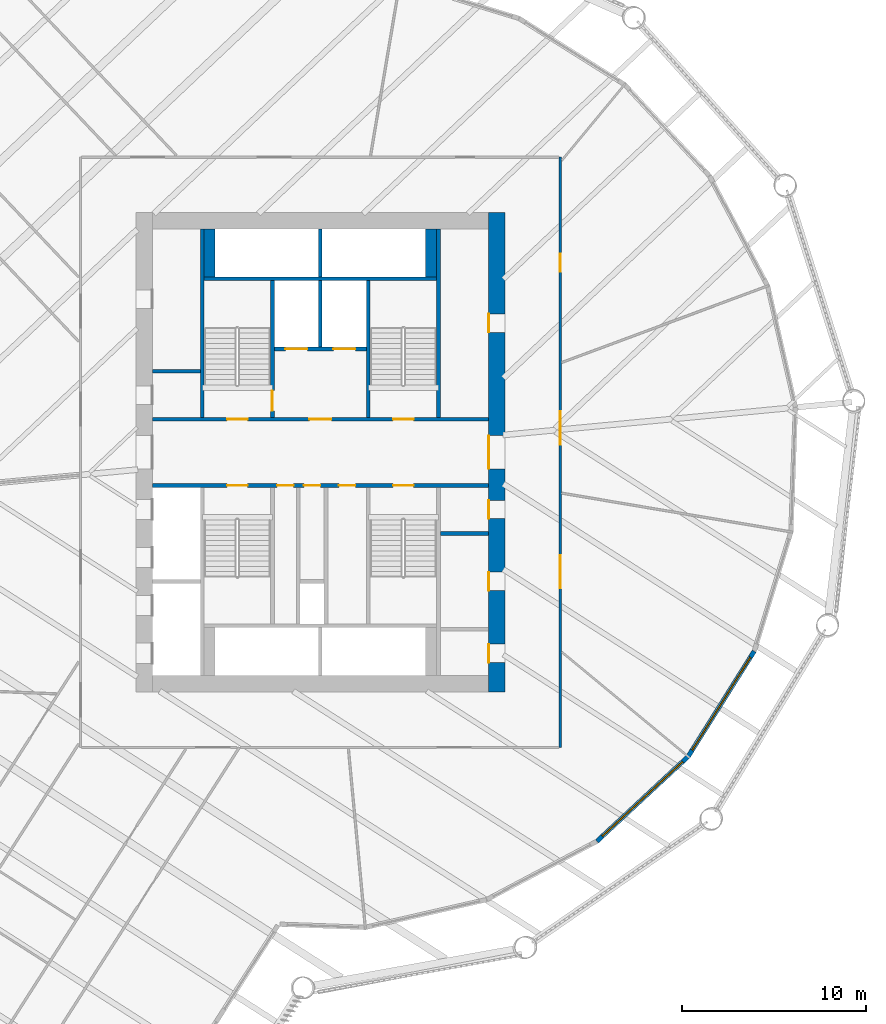
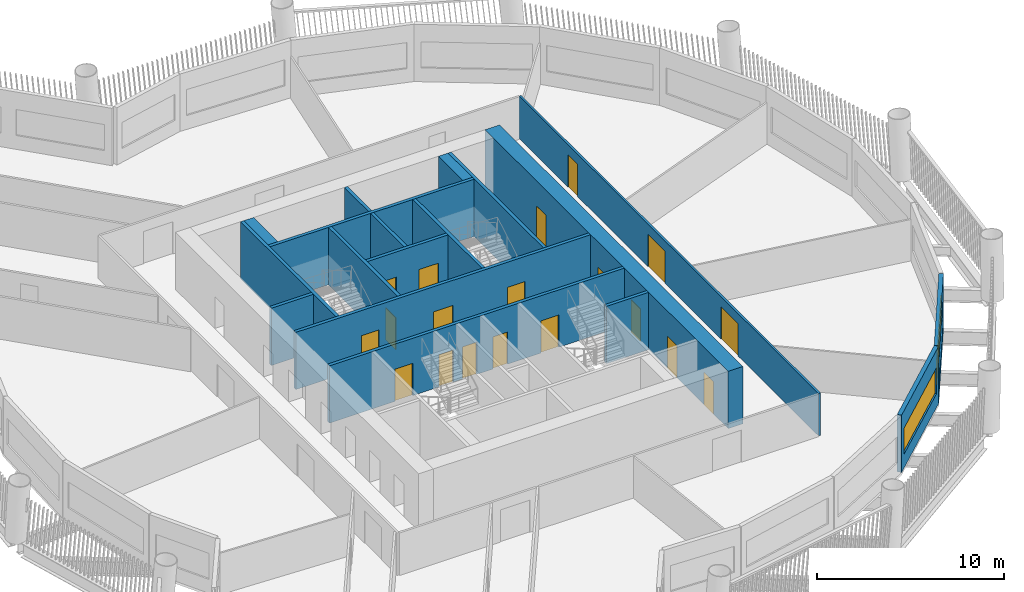
# One storey, part 5 of 15: 19 doors, 18 walls, 2 windows, 21 openings.
"""IFC4 building model written with IfcOpenShell, lengths in metres."""

from ifc_helpers import new_model, si_unit, direction, frame, frame_2d, origin, place, context, subcontext, project, spatial, rectangle, extrude, material, layer, layer_set, type_object, element, fill, save


model = new_model("IFC4")

# Units and contexts
model_context = context("Model", 3, precision=1e-05, world=origin(), true_north=direction((0.0, 1.0)))
body_context = subcontext(model_context, "Body", "Model", "MODEL_VIEW")
ifc_project = project(units=[si_unit("LENGTHUNIT", "METRE"), si_unit("AREAUNIT", "SQUARE_METRE"), si_unit("VOLUMEUNIT", "CUBIC_METRE"), si_unit("PLANEANGLEUNIT", "RADIAN"), si_unit("MASSUNIT", "GRAM", prefix="KILO")], contexts=[model_context])

# Site, building, storey
site_placement = place(None, origin())
site = spatial("IfcSite", under=ifc_project, at=site_placement, CompositionType="ELEMENT")
building_placement = place(site_placement, origin())
building = spatial("IfcBuilding", under=site, at=building_placement, Name="Tarsis Ring Headquarters", CompositionType="ELEMENT")
storey_placement = place(building_placement, frame((0.0, 0.0, 67.300048828125)))
storey = spatial("IfcBuildingStorey", under=building, at=storey_placement, Name="L14", CompositionType="ELEMENT", Elevation=67.300048828125)

# Walls
ifc_material_1 = material(Name="Blockwork", Category="masonry")
ifc_layer_1 = layer(ifc_material_1, 0.199951171875)
ifc_layer_set_1 = layer_set([ifc_layer_1], Name="Core blockwork wall 200")
wall_type_1 = type_object("IfcWallType", Name="Core blockwork wall 200", PredefinedType="PARTITIONING", material=ifc_layer_set_1)
for number, where, z_axis, x_axis, name in (
    (1, (-9.10009765625, 4.39990234375, 0.0), (0.0, 0.0, 1.0), (1.0, 0.0, 0.0), "Core partition WD5"),
    (2, (6.5, -4.39990234375, 0.0), (0.0, 0.0, 1.0), (1.0, 0.0, 0.0), "Core partition ED3"),
):
    element("IfcWall", number, at=place(storey_placement, frame(where, z_axis=z_axis, x_axis=x_axis)), inside=storey, type_object=wall_type_1, Name=name, PredefinedType="PARTITIONING", context=body_context, shape_type="SweptSolid", body=[
        extrude(rectangle(XDim=2.60009765625, YDim=0.199951171875, at=frame_2d((1.300048828125, 0.0))), origin(), (0.0, 0.0, 1.0), 3.739990234375),
    ])

# Wall, openings, doors
ifc_material_2 = material(Name="Concrete C60/75", Category="concrete")
ifc_layer_2 = layer(ifc_material_2, 0.89990234375)
ifc_layer_set_2 = layer_set([ifc_layer_2], Name="Core wall 900 C60/75")
wall_type_2 = type_object("IfcWallType", Name="Core wall 900 C60/75", PredefinedType="SHEAR", material=ifc_layer_set_2)
wall_1_placement = place(storey_placement, frame((9.550048828125, -13.0, 0.0), z_axis=(0.0, 0.0, 1.0), x_axis=(0.0, 1.0, 0.0)))
wall_1 = element("IfcWall", 3, at=wall_1_placement, inside=storey, type_object=wall_type_2, Name="Core wall OE", PredefinedType="SHEAR", context=body_context, shape_type="SweptSolid", body=[
    extrude(rectangle(XDim=26.0, YDim=0.89990234375, at=frame_2d((13.0, 0.0))), origin(), (0.0, 0.0, 1.0), 3.739990234375),
])
opening_1_placement = place(wall_1_placement, frame((1.60009765625, 0.0, 0.0)))
opening_1 = element("IfcOpeningElement", 4, at=opening_1_placement, cuts=wall_1, Name="Opening L14-C08", PredefinedType="OPENING", context=body_context, shape_type="SweptSolid", body=[
    extrude(rectangle(XDim=1.0, YDim=2.10009765625, at=frame_2d((0.5, 1.050048828125))), frame((0.0, 0.4599609375, 0.0), z_axis=(0.0, -1.0, 0.0), x_axis=(1.0, 0.0, 0.0)), (0.0, 0.0, 1.0), 0.919921875),
])
opening_2_placement = place(wall_1_placement, frame((5.5, 0.0, 0.0)))
opening_2 = element("IfcOpeningElement", 5, at=opening_2_placement, cuts=wall_1, Name="Opening L14-C09", PredefinedType="OPENING", context=body_context, shape_type="SweptSolid", body=[
    extrude(rectangle(XDim=1.0, YDim=2.10009765625, at=frame_2d((0.5, 1.050048828125))), frame((0.0, 0.4599609375, 0.0), z_axis=(0.0, -1.0, 0.0), x_axis=(1.0, 0.0, 0.0)), (0.0, 0.0, 1.0), 0.919921875),
])
opening_3_placement = place(wall_1_placement, frame((9.39990234375, 0.0, 0.0)))
opening_3 = element("IfcOpeningElement", 6, at=opening_3_placement, cuts=wall_1, Name="Opening L14-C10", PredefinedType="OPENING", context=body_context, shape_type="SweptSolid", body=[
    extrude(rectangle(XDim=1.0, YDim=2.10009765625, at=frame_2d((0.5, 1.050048828125))), frame((0.0, 0.4599609375, 0.0), z_axis=(0.0, -1.0, 0.0), x_axis=(1.0, 0.0, 0.0)), (0.0, 0.0, 1.0), 0.919921875),
])
opening_4_placement = place(wall_1_placement, frame((12.10009765625, 0.0, 0.0)))
opening_4 = element("IfcOpeningElement", 7, at=opening_4_placement, cuts=wall_1, Name="Opening L14-C11", PredefinedType="OPENING", context=body_context, shape_type="SweptSolid", body=[
    extrude(rectangle(XDim=1.800048828125, YDim=2.10009765625, at=frame_2d((0.89990234375, 1.050048828125))), frame((0.0, 0.4599609375, 0.0), z_axis=(0.0, -1.0, 0.0), x_axis=(1.0, 0.0, 0.0)), (0.0, 0.0, 1.0), 0.919921875),
])
opening_5_placement = place(wall_1_placement, frame((19.5, 0.0, 0.0)))
opening_5 = element("IfcOpeningElement", 8, at=opening_5_placement, cuts=wall_1, Name="Opening L14-C12", PredefinedType="OPENING", context=body_context, shape_type="SweptSolid", body=[
    extrude(rectangle(XDim=1.0, YDim=2.10009765625, at=frame_2d((0.5, 1.050048828125))), frame((0.0, 0.4599609375, 0.0), z_axis=(0.0, -1.0, 0.0), x_axis=(1.0, 0.0, 0.0)), (0.0, 0.0, 1.0), 0.919921875),
])
ifc_material_3 = material(Name="Steel S355", Category="steel")
door_type_1 = type_object("IfcDoorType", Name="Core entry door 1800x2100", OperationType="DOUBLE_DOOR_SINGLE_SWING", PredefinedType="DOOR", material=ifc_material_3)
door_1_placement = place(opening_4_placement, origin())
door_1 = element("IfcDoor", 9, at=door_1_placement, inside=storey, type_object=door_type_1, Name="Core entry door L14", OperationType="DOUBLE_DOOR_SINGLE_SWING", OverallHeight=2.10009765625, OverallWidth=1.800048828125, PredefinedType="DOOR", context=body_context, shape_type="SweptSolid", body=[
    extrude(rectangle(XDim=1.800048828125, YDim=2.10009765625, at=frame_2d((0.89990234375, 1.050048828125))), frame((0.0, 0.4501953125, 0.0), z_axis=(0.0, -1.0, 0.0), x_axis=(1.0, 0.0, 0.0)), (0.0, 0.0, 1.0), 0.050048828125),
])
fill(opening_4, door_1)
door_type_2 = type_object("IfcDoorType", Name="Core room door 1000x2100", OperationType="SINGLE_SWING_LEFT", PredefinedType="DOOR", material=ifc_material_3)
door_2_placement = place(opening_1_placement, origin())
door_2 = element("IfcDoor", 10, at=door_2_placement, inside=storey, type_object=door_type_2, Name="Core room door L14", OperationType="SINGLE_SWING_LEFT", OverallHeight=2.10009765625, OverallWidth=1.0, PredefinedType="DOOR", context=body_context, shape_type="SweptSolid", body=[
    extrude(rectangle(XDim=1.0, YDim=2.10009765625, at=frame_2d((0.5, 1.050048828125))), frame((0.0, 0.4501953125, 0.0), z_axis=(0.0, -1.0, 0.0), x_axis=(1.0, 0.0, 0.0)), (0.0, 0.0, 1.0), 0.050048828125),
])
fill(opening_1, door_2)
door_3_placement = place(opening_2_placement, origin())
door_3 = element("IfcDoor", 11, at=door_3_placement, inside=storey, type_object=door_type_2, Name="Core room door L14", OperationType="SINGLE_SWING_LEFT", OverallHeight=2.10009765625, OverallWidth=1.0, PredefinedType="DOOR", context=body_context, shape_type="SweptSolid", body=[
    extrude(rectangle(XDim=1.0, YDim=2.10009765625, at=frame_2d((0.5, 1.050048828125))), frame((0.0, 0.4501953125, 0.0), z_axis=(0.0, -1.0, 0.0), x_axis=(1.0, 0.0, 0.0)), (0.0, 0.0, 1.0), 0.050048828125),
])
fill(opening_2, door_3)
door_4_placement = place(opening_3_placement, origin())
door_4 = element("IfcDoor", 12, at=door_4_placement, inside=storey, type_object=door_type_2, Name="Core room door L14", OperationType="SINGLE_SWING_LEFT", OverallHeight=2.10009765625, OverallWidth=1.0, PredefinedType="DOOR", context=body_context, shape_type="SweptSolid", body=[
    extrude(rectangle(XDim=1.0, YDim=2.10009765625, at=frame_2d((0.5, 1.050048828125))), frame((0.0, 0.4501953125, 0.0), z_axis=(0.0, -1.0, 0.0), x_axis=(1.0, 0.0, 0.0)), (0.0, 0.0, 1.0), 0.050048828125),
])
fill(opening_3, door_4)
door_5_placement = place(opening_5_placement, origin())
door_5 = element("IfcDoor", 13, at=door_5_placement, inside=storey, type_object=door_type_2, Name="Core room door L14", OperationType="SINGLE_SWING_LEFT", OverallHeight=2.10009765625, OverallWidth=1.0, PredefinedType="DOOR", context=body_context, shape_type="SweptSolid", body=[
    extrude(rectangle(XDim=1.0, YDim=2.10009765625, at=frame_2d((0.5, 1.050048828125))), frame((0.0, 0.4501953125, 0.0), z_axis=(0.0, -1.0, 0.0), x_axis=(1.0, 0.0, 0.0)), (0.0, 0.0, 1.0), 0.050048828125),
])
fill(opening_5, door_5)

ifc_material_4 = material(Name="Gypsum board on steel studs", Category="steel")
ifc_layer_3 = layer(ifc_material_4, 0.125)
ifc_layer_set_3 = layer_set([ifc_layer_3], Name="FL partition 125 EI 60 H2770")
wall_type_3 = type_object("IfcWallType", Name="FL partition 125 EI 60 H2770", PredefinedType="PARTITIONING", material=ifc_layer_set_3)
wall_2_placement = place(storey_placement, frame((13.0, -16.0, 0.0), z_axis=(0.0, 0.0, 1.0), x_axis=(0.0, 1.0, 0.0)))
wall_2 = element("IfcWall", 14, at=wall_2_placement, inside=storey, type_object=wall_type_3, Name="Partition PW1", PredefinedType="PARTITIONING", context=body_context, shape_type="SweptSolid", body=[
    extrude(rectangle(XDim=32.0, YDim=0.125, at=frame_2d((16.0, 0.0))), origin(), (0.0, 0.0, 1.0), 2.77001953125),
])
opening_6_placement = place(wall_2_placement, frame((25.7744140625, 0.0, 0.0)))
opening_6 = element("IfcOpeningElement", 15, at=opening_6_placement, cuts=wall_2, Name="Opening D14.05", PredefinedType="OPENING", context=body_context, shape_type="SweptSolid", body=[
    extrude(rectangle(XDim=1.0, YDim=2.10009765625, at=frame_2d((0.5, 1.050048828125))), frame((0.0, 0.072509765625, 0.0), z_axis=(0.0, -1.0, 0.0), x_axis=(1.0, 0.0, 0.0)), (0.0, 0.0, 1.0), 0.14501953125),
])
opening_7_placement = place(wall_2_placement, frame((16.41796875, 0.0, 0.0)))
opening_7 = element("IfcOpeningElement", 16, at=opening_7_placement, cuts=wall_2, Name="Opening D14.06", PredefinedType="OPENING", context=body_context, shape_type="SweptSolid", body=[
    extrude(rectangle(XDim=1.800048828125, YDim=2.10009765625, at=frame_2d((0.89990234375, 1.050048828125))), frame((0.0, 0.072509765625, 0.0), z_axis=(0.0, -1.0, 0.0), x_axis=(1.0, 0.0, 0.0)), (0.0, 0.0, 1.0), 0.14501953125),
])
opening_8_placement = place(wall_2_placement, frame((8.623291015625, 0.0, 0.0)))
opening_8 = element("IfcOpeningElement", 17, at=opening_8_placement, cuts=wall_2, Name="Opening D14.07", PredefinedType="OPENING", context=body_context, shape_type="SweptSolid", body=[
    extrude(rectangle(XDim=1.800048828125, YDim=2.10009765625, at=frame_2d((0.89990234375, 1.050048828125))), frame((0.0, 0.072509765625, 0.0), z_axis=(0.0, -1.0, 0.0), x_axis=(1.0, 0.0, 0.0)), (0.0, 0.0, 1.0), 0.14501953125),
])
ifc_material_5 = material(Name="Fire-rated timber door leaf in steel frame", Category="steel")
door_type_3 = type_object("IfcDoorType", Name="FL door FD60-1000", OperationType="NOTDEFINED", PredefinedType="DOOR", material=ifc_material_5)
door_6_placement = place(opening_6_placement, origin())
door_6 = element("IfcDoor", 18, at=door_6_placement, inside=storey, type_object=door_type_3, Name="Door D14.05", OperationType="SINGLE_SWING_LEFT", OverallHeight=2.10009765625, OverallWidth=1.0, PredefinedType="DOOR", context=body_context, shape_type="SweptSolid", body=[
    extrude(rectangle(XDim=1.0, YDim=2.10009765625, at=frame_2d((0.5, 1.050048828125))), frame((0.0, 0.02490234375, 0.0), z_axis=(0.0, -1.0, 0.0), x_axis=(1.0, 0.0, 0.0)), (0.0, 0.0, 1.0), 0.050048828125),
])
fill(opening_6, door_6)
door_type_4 = type_object("IfcDoorType", Name="FL door FD60-1800", OperationType="DOUBLE_DOOR_SINGLE_SWING", PredefinedType="DOOR", material=ifc_material_5)
door_7_placement = place(opening_7_placement, origin())
door_7 = element("IfcDoor", 19, at=door_7_placement, inside=storey, type_object=door_type_4, Name="Door D14.06", OperationType="DOUBLE_DOOR_SINGLE_SWING", OverallHeight=2.10009765625, OverallWidth=1.800048828125, PredefinedType="DOOR", context=body_context, shape_type="SweptSolid", body=[
    extrude(rectangle(XDim=1.800048828125, YDim=2.10009765625, at=frame_2d((0.89990234375, 1.050048828125))), frame((0.0, 0.02490234375, 0.0), z_axis=(0.0, -1.0, 0.0), x_axis=(1.0, 0.0, 0.0)), (0.0, 0.0, 1.0), 0.050048828125),
])
fill(opening_7, door_7)
door_8_placement = place(opening_8_placement, origin())
door_8 = element("IfcDoor", 20, at=door_8_placement, inside=storey, type_object=door_type_4, Name="Door D14.07", OperationType="DOUBLE_DOOR_SINGLE_SWING", OverallHeight=2.10009765625, OverallWidth=1.800048828125, PredefinedType="DOOR", context=body_context, shape_type="SweptSolid", body=[
    extrude(rectangle(XDim=1.800048828125, YDim=2.10009765625, at=frame_2d((0.89990234375, 1.050048828125))), frame((0.0, 0.02490234375, 0.0), z_axis=(0.0, -1.0, 0.0), x_axis=(1.0, 0.0, 0.0)), (0.0, 0.0, 1.0), 0.050048828125),
])
fill(opening_8, door_8)

# Wall, opening, window
ifc_material_6 = material(Name="Terracotta clad insulated panel wall", Category="masonry")
ifc_layer_4 = layer(ifc_material_6, 0.25)
ifc_layer_set_4 = layer_set([ifc_layer_4], Name="Facade wall terracotta panel 250")
wall_type_4 = type_object("IfcWallType", Name="Facade wall terracotta panel 250", PredefinedType="STANDARD", material=ifc_layer_set_4)
wall_3_placement = place(storey_placement, frame((15.000244140625, -21.079345703125, 0.0), z_axis=(0.0, 0.0, 1.0), x_axis=(0.732547646503, 0.680715759773, 0.0)))
wall_3 = element("IfcWall", 21, at=wall_3_placement, inside=storey, type_object=wall_type_4, Name="External wall L14-20", PredefinedType="STANDARD", context=body_context, shape_type="SweptSolid", body=[
    extrude(rectangle(XDim=6.721435546875, YDim=0.25, at=frame_2d((3.36083984375, 0.0))), origin(), (0.0, 0.0, 1.0), 3.739990234375),
])
opening_9_placement = place(wall_3_placement, frame((0.3857421875, 0.0, 0.89990234375)))
opening_9 = element("IfcOpeningElement", 22, at=opening_9_placement, cuts=wall_3, Name="Opening WN07", PredefinedType="OPENING", context=body_context, shape_type="SweptSolid", body=[
    extrude(rectangle(XDim=5.949951171875, YDim=1.699951171875, at=frame_2d((2.97509765625, 0.85009765625))), frame((0.0, 0.135009765625, 0.0), z_axis=(0.0, -1.0, 0.0), x_axis=(1.0, 0.0, 0.0)), (0.0, 0.0, 1.0), 0.27001953125),
])
ifc_material_7 = material(Name="Aluminium framed double glazing", Category="aluminium")
window_type = type_object("IfcWindowType", Name="Facade window 5950 x 1700", PartitioningType="SINGLE_PANEL", PredefinedType="WINDOW", material=ifc_material_7)
window_1_placement = place(opening_9_placement, origin())
window_1 = element("IfcWindow", 23, at=window_1_placement, inside=storey, type_object=window_type, Name="Window L14-20.1", OverallHeight=1.699951171875, OverallWidth=5.949951171875, PartitioningType="SINGLE_PANEL", PredefinedType="WINDOW", context=body_context, shape_type="SweptSolid", body=[
    extrude(rectangle(XDim=5.949951171875, YDim=1.699951171875, at=frame_2d((2.97509765625, 0.85009765625))), frame((0.0, 0.030029296875, 0.0), z_axis=(0.0, -1.0, 0.0), x_axis=(1.0, 0.0, 0.0)), (0.0, 0.0, 1.0), 0.06005859375),
])
fill(opening_9, window_1)

wall_4_placement = place(storey_placement, frame((19.94482421875, -16.478759765625, 0.0), z_axis=(0.0, 0.0, 1.0), x_axis=(0.531411864014, 0.847113587888, 0.0)))
wall_4 = element("IfcWall", 24, at=wall_4_placement, inside=storey, type_object=wall_type_4, Name="External wall L14-21", PredefinedType="STANDARD", context=body_context, shape_type="SweptSolid", body=[
    extrude(rectangle(XDim=6.7216796875, YDim=0.25, at=frame_2d((3.36083984375, 0.0))), origin(), (0.0, 0.0, 1.0), 3.739990234375),
])
opening_10_placement = place(wall_4_placement, frame((0.3857421875, 0.0, 0.89990234375)))
opening_10 = element("IfcOpeningElement", 25, at=opening_10_placement, cuts=wall_4, Name="Opening WN07", PredefinedType="OPENING", context=body_context, shape_type="SweptSolid", body=[
    extrude(rectangle(XDim=5.949951171875, YDim=1.699951171875, at=frame_2d((2.97509765625, 0.85009765625))), frame((0.0, 0.135009765625, 0.0), z_axis=(0.0, -1.0, 0.0), x_axis=(1.0, 0.0, 0.0)), (0.0, 0.0, 1.0), 0.27001953125),
])
window_2_placement = place(opening_10_placement, origin())
window_2 = element("IfcWindow", 26, at=window_2_placement, inside=storey, type_object=window_type, Name="Window L14-21.1", OverallHeight=1.699951171875, OverallWidth=5.949951171875, PartitioningType="SINGLE_PANEL", PredefinedType="WINDOW", context=body_context, shape_type="SweptSolid", body=[
    extrude(rectangle(XDim=5.949951171875, YDim=1.699951171875, at=frame_2d((2.97509765625, 0.85009765625))), frame((0.0, 0.030029296875, 0.0), z_axis=(0.0, -1.0, 0.0), x_axis=(1.0, 0.0, 0.0)), (0.0, 0.0, 1.0), 0.06005859375),
])
fill(opening_10, window_2)

# Walls
ifc_material_8 = material(Name="Concrete C32/40", Category="concrete")
ifc_layer_5 = layer(ifc_material_8, 0.60009765625)
ifc_layer_set_5 = layer_set([ifc_layer_5], Name="Shaft end wall 600 C32/40")
wall_type_5 = type_object("IfcWallType", Name="Shaft end wall 600 C32/40", PredefinedType="SOLIDWALL", material=ifc_layer_set_5)
for number, where, z_axis, x_axis, name in (
    (27, (-6.0, 9.5, 0.0), (0.0, 0.0, 1.0), (0.0, 1.0, 0.0), "Core shaft wall NNE1"),
    (28, (6.0, 9.5, 0.0), (0.0, 0.0, 1.0), (0.0, 1.0, 0.0), "Core shaft wall NNE2"),
):
    element("IfcWall", number, at=place(storey_placement, frame(where, z_axis=z_axis, x_axis=x_axis)), inside=storey, type_object=wall_type_5, Name=name, PredefinedType="SOLIDWALL", context=body_context, shape_type="SweptSolid", body=[
        extrude(rectangle(XDim=2.60009765625, YDim=0.60009765625, at=frame_2d((1.300048828125, 0.0))), origin(), (0.0, 0.0, 1.0), 3.739990234375),
    ])

# Wall, openings, doors
ifc_layer_6 = layer(ifc_material_8, 0.199951171875)
ifc_layer_set_6 = layer_set([ifc_layer_6], Name="Shaft wall 200 C32/40")
wall_type_6 = type_object("IfcWallType", Name="Shaft wall 200 C32/40", PredefinedType="SOLIDWALL", material=ifc_layer_set_6)
wall_5_placement = place(storey_placement, frame((-9.10009765625, 1.800048828125, 0.0), z_axis=(0.0, 0.0, 1.0), x_axis=(1.0, 0.0, 0.0)))
wall_5 = element("IfcWall", 29, at=wall_5_placement, inside=storey, type_object=wall_type_6, Name="Core shaft wall CN", PredefinedType="SOLIDWALL", context=body_context, shape_type="SweptSolid", body=[
    extrude(rectangle(XDim=18.2001953125, YDim=0.199951171875, at=frame_2d((9.10009765625, 0.0))), origin(), (0.0, 0.0, 1.0), 3.739990234375),
])
opening_11_placement = place(wall_5_placement, frame((4.050048828125, 0.0, 0.0)))
opening_11 = element("IfcOpeningElement", 30, at=opening_11_placement, cuts=wall_5, Name="Opening L14-C13", PredefinedType="OPENING", context=body_context, shape_type="SweptSolid", body=[
    extrude(rectangle(XDim=1.10009765625, YDim=2.10009765625, at=frame_2d((0.550048828125, 1.050048828125))), frame((0.0, 0.10986328125, 0.0), z_axis=(0.0, -1.0, 0.0), x_axis=(1.0, 0.0, 0.0)), (0.0, 0.0, 1.0), 0.219970703125),
])
opening_12_placement = place(wall_5_placement, frame((8.5, 0.0, 0.0)))
opening_12 = element("IfcOpeningElement", 31, at=opening_12_placement, cuts=wall_5, Name="Opening L14-C14", PredefinedType="OPENING", context=body_context, shape_type="SweptSolid", body=[
    extrude(rectangle(XDim=1.199951171875, YDim=2.10009765625, at=frame_2d((0.60009765625, 1.050048828125))), frame((0.0, 0.10986328125, 0.0), z_axis=(0.0, -1.0, 0.0), x_axis=(1.0, 0.0, 0.0)), (0.0, 0.0, 1.0), 0.219970703125),
])
opening_13_placement = place(wall_5_placement, frame((13.050048828125, 0.0, 0.0)))
opening_13 = element("IfcOpeningElement", 32, at=opening_13_placement, cuts=wall_5, Name="Opening L14-C15", PredefinedType="OPENING", context=body_context, shape_type="SweptSolid", body=[
    extrude(rectangle(XDim=1.10009765625, YDim=2.10009765625, at=frame_2d((0.550048828125, 1.050048828125))), frame((0.0, 0.10986328125, 0.0), z_axis=(0.0, -1.0, 0.0), x_axis=(1.0, 0.0, 0.0)), (0.0, 0.0, 1.0), 0.219970703125),
])
door_type_5 = type_object("IfcDoorType", Name="Firefighting lobby door 1200x2100", OperationType="DOUBLE_DOOR_SINGLE_SWING", PredefinedType="DOOR", material=ifc_material_3)
door_9_placement = place(opening_12_placement, origin())
door_9 = element("IfcDoor", 33, at=door_9_placement, inside=storey, type_object=door_type_5, Name="Firefighting lobby door L14", OperationType="DOUBLE_DOOR_SINGLE_SWING", OverallHeight=2.10009765625, OverallWidth=1.199951171875, PredefinedType="DOOR", context=body_context, shape_type="SweptSolid", body=[
    extrude(rectangle(XDim=1.199951171875, YDim=2.10009765625, at=frame_2d((0.60009765625, 1.050048828125))), frame((0.0, 0.02490234375, 0.0), z_axis=(0.0, -1.0, 0.0), x_axis=(1.0, 0.0, 0.0)), (0.0, 0.0, 1.0), 0.050048828125),
])
fill(opening_12, door_9)
door_type_6 = type_object("IfcDoorType", Name="Stair door 1100x2100", OperationType="SINGLE_SWING_LEFT", PredefinedType="DOOR", material=ifc_material_3)
door_10_placement = place(opening_11_placement, origin())
door_10 = element("IfcDoor", 34, at=door_10_placement, inside=storey, type_object=door_type_6, Name="Stair door L14", OperationType="SINGLE_SWING_LEFT", OverallHeight=2.10009765625, OverallWidth=1.10009765625, PredefinedType="DOOR", context=body_context, shape_type="SweptSolid", body=[
    extrude(rectangle(XDim=1.10009765625, YDim=2.10009765625, at=frame_2d((0.550048828125, 1.050048828125))), frame((0.0, 0.02490234375, 0.0), z_axis=(0.0, -1.0, 0.0), x_axis=(1.0, 0.0, 0.0)), (0.0, 0.0, 1.0), 0.050048828125),
])
fill(opening_11, door_10)
door_11_placement = place(opening_13_placement, origin())
door_11 = element("IfcDoor", 35, at=door_11_placement, inside=storey, type_object=door_type_6, Name="Stair door L14", OperationType="SINGLE_SWING_LEFT", OverallHeight=2.10009765625, OverallWidth=1.10009765625, PredefinedType="DOOR", context=body_context, shape_type="SweptSolid", body=[
    extrude(rectangle(XDim=1.10009765625, YDim=2.10009765625, at=frame_2d((0.550048828125, 1.050048828125))), frame((0.0, 0.02490234375, 0.0), z_axis=(0.0, -1.0, 0.0), x_axis=(1.0, 0.0, 0.0)), (0.0, 0.0, 1.0), 0.050048828125),
])
fill(opening_13, door_11)

wall_6_placement = place(storey_placement, frame((-9.10009765625, -1.800048828125, 0.0), z_axis=(0.0, 0.0, 1.0), x_axis=(1.0, 0.0, 0.0)))
wall_6 = element("IfcWall", 36, at=wall_6_placement, inside=storey, type_object=wall_type_6, Name="Core shaft wall CS", PredefinedType="SOLIDWALL", context=body_context, shape_type="SweptSolid", body=[
    extrude(rectangle(XDim=18.2001953125, YDim=0.199951171875, at=frame_2d((9.10009765625, 0.0))), origin(), (0.0, 0.0, 1.0), 3.739990234375),
])
opening_14_placement = place(wall_6_placement, frame((4.050048828125, 0.0, 0.0)))
opening_14 = element("IfcOpeningElement", 37, at=opening_14_placement, cuts=wall_6, Name="Opening L14-C16", PredefinedType="OPENING", context=body_context, shape_type="SweptSolid", body=[
    extrude(rectangle(XDim=1.10009765625, YDim=2.10009765625, at=frame_2d((0.550048828125, 1.050048828125))), frame((0.0, 0.10986328125, 0.0), z_axis=(0.0, -1.0, 0.0), x_axis=(1.0, 0.0, 0.0)), (0.0, 0.0, 1.0), 0.219970703125),
])
opening_15_placement = place(wall_6_placement, frame((6.75, 0.0, 0.0)))
opening_15 = element("IfcOpeningElement", 38, at=opening_15_placement, cuts=wall_6, Name="Opening L14-C17", PredefinedType="OPENING", context=body_context, shape_type="SweptSolid", body=[
    extrude(rectangle(XDim=0.89990234375, YDim=2.10009765625, at=frame_2d((0.449951171875, 1.050048828125))), frame((0.0, 0.10986328125, 0.0), z_axis=(0.0, -1.0, 0.0), x_axis=(1.0, 0.0, 0.0)), (0.0, 0.0, 1.0), 0.219970703125),
])
opening_16_placement = place(wall_6_placement, frame((8.199951171875, 0.0, 0.0)))
opening_16 = element("IfcOpeningElement", 39, at=opening_16_placement, cuts=wall_6, Name="Opening L14-C18", PredefinedType="OPENING", context=body_context, shape_type="SweptSolid", body=[
    extrude(rectangle(XDim=0.89990234375, YDim=2.10009765625, at=frame_2d((0.449951171875, 1.050048828125))), frame((0.0, 0.10986328125, 0.0), z_axis=(0.0, -1.0, 0.0), x_axis=(1.0, 0.0, 0.0)), (0.0, 0.0, 1.0), 0.219970703125),
])
opening_17_placement = place(wall_6_placement, frame((10.10009765625, 0.0, 0.0)))
opening_17 = element("IfcOpeningElement", 40, at=opening_17_placement, cuts=wall_6, Name="Opening L14-C19", PredefinedType="OPENING", context=body_context, shape_type="SweptSolid", body=[
    extrude(rectangle(XDim=0.89990234375, YDim=2.10009765625, at=frame_2d((0.449951171875, 1.050048828125))), frame((0.0, 0.10986328125, 0.0), z_axis=(0.0, -1.0, 0.0), x_axis=(1.0, 0.0, 0.0)), (0.0, 0.0, 1.0), 0.219970703125),
])
opening_18_placement = place(wall_6_placement, frame((13.050048828125, 0.0, 0.0)))
opening_18 = element("IfcOpeningElement", 41, at=opening_18_placement, cuts=wall_6, Name="Opening L14-C20", PredefinedType="OPENING", context=body_context, shape_type="SweptSolid", body=[
    extrude(rectangle(XDim=1.10009765625, YDim=2.10009765625, at=frame_2d((0.550048828125, 1.050048828125))), frame((0.0, 0.10986328125, 0.0), z_axis=(0.0, -1.0, 0.0), x_axis=(1.0, 0.0, 0.0)), (0.0, 0.0, 1.0), 0.219970703125),
])
door_12_placement = place(opening_14_placement, origin())
door_12 = element("IfcDoor", 42, at=door_12_placement, inside=storey, type_object=door_type_6, Name="Stair door L14", OperationType="SINGLE_SWING_LEFT", OverallHeight=2.10009765625, OverallWidth=1.10009765625, PredefinedType="DOOR", context=body_context, shape_type="SweptSolid", body=[
    extrude(rectangle(XDim=1.10009765625, YDim=2.10009765625, at=frame_2d((0.550048828125, 1.050048828125))), frame((0.0, 0.02490234375, 0.0), z_axis=(0.0, -1.0, 0.0), x_axis=(1.0, 0.0, 0.0)), (0.0, 0.0, 1.0), 0.050048828125),
])
fill(opening_14, door_12)
door_13_placement = place(opening_18_placement, origin())
door_13 = element("IfcDoor", 43, at=door_13_placement, inside=storey, type_object=door_type_6, Name="Stair door L14", OperationType="SINGLE_SWING_LEFT", OverallHeight=2.10009765625, OverallWidth=1.10009765625, PredefinedType="DOOR", context=body_context, shape_type="SweptSolid", body=[
    extrude(rectangle(XDim=1.10009765625, YDim=2.10009765625, at=frame_2d((0.550048828125, 1.050048828125))), frame((0.0, 0.02490234375, 0.0), z_axis=(0.0, -1.0, 0.0), x_axis=(1.0, 0.0, 0.0)), (0.0, 0.0, 1.0), 0.050048828125),
])
fill(opening_18, door_13)
door_type_7 = type_object("IfcDoorType", Name="WC door 900x2100", OperationType="SINGLE_SWING_LEFT", PredefinedType="DOOR", material=ifc_material_3)
door_14_placement = place(opening_15_placement, origin())
door_14 = element("IfcDoor", 44, at=door_14_placement, inside=storey, type_object=door_type_7, Name="WC door L14", OperationType="SINGLE_SWING_LEFT", OverallHeight=2.10009765625, OverallWidth=0.89990234375, PredefinedType="DOOR", context=body_context, shape_type="SweptSolid", body=[
    extrude(rectangle(XDim=0.89990234375, YDim=2.10009765625, at=frame_2d((0.449951171875, 1.050048828125))), frame((0.0, 0.02490234375, 0.0), z_axis=(0.0, -1.0, 0.0), x_axis=(1.0, 0.0, 0.0)), (0.0, 0.0, 1.0), 0.050048828125),
])
fill(opening_15, door_14)
door_15_placement = place(opening_16_placement, origin())
door_15 = element("IfcDoor", 45, at=door_15_placement, inside=storey, type_object=door_type_7, Name="WC door L14", OperationType="SINGLE_SWING_LEFT", OverallHeight=2.10009765625, OverallWidth=0.89990234375, PredefinedType="DOOR", context=body_context, shape_type="SweptSolid", body=[
    extrude(rectangle(XDim=0.89990234375, YDim=2.10009765625, at=frame_2d((0.449951171875, 1.050048828125))), frame((0.0, 0.02490234375, 0.0), z_axis=(0.0, -1.0, 0.0), x_axis=(1.0, 0.0, 0.0)), (0.0, 0.0, 1.0), 0.050048828125),
])
fill(opening_16, door_15)
door_16_placement = place(opening_17_placement, origin())
door_16 = element("IfcDoor", 46, at=door_16_placement, inside=storey, type_object=door_type_7, Name="WC door L14", OperationType="SINGLE_SWING_LEFT", OverallHeight=2.10009765625, OverallWidth=0.89990234375, PredefinedType="DOOR", context=body_context, shape_type="SweptSolid", body=[
    extrude(rectangle(XDim=0.89990234375, YDim=2.10009765625, at=frame_2d((0.449951171875, 1.050048828125))), frame((0.0, 0.02490234375, 0.0), z_axis=(0.0, -1.0, 0.0), x_axis=(1.0, 0.0, 0.0)), (0.0, 0.0, 1.0), 0.050048828125),
])
fill(opening_17, door_16)

# Walls
for number, where, z_axis, x_axis, name in (
    (47, (-6.39990234375, 1.89990234375, 0.0), (0.0, 0.0, 1.0), (0.0, 1.0, 0.0), "Core shaft wall WB2"),
    (48, (6.39990234375, 1.89990234375, 0.0), (0.0, 0.0, 1.0), (0.0, 1.0, 0.0), "Core shaft wall EB2"),
):
    element("IfcWall", number, at=place(storey_placement, frame(where, z_axis=z_axis, x_axis=x_axis)), inside=storey, type_object=wall_type_6, Name=name, PredefinedType="SOLIDWALL", context=body_context, shape_type="SweptSolid", body=[
        extrude(rectangle(XDim=10.2001953125, YDim=0.199951171875, at=frame_2d((5.10009765625, 0.0))), origin(), (0.0, 0.0, 1.0), 3.739990234375),
    ])
wall_7_placement = place(storey_placement, frame((-6.300048828125, 9.39990234375, 0.0), z_axis=(0.0, 0.0, 1.0), x_axis=(1.0, 0.0, 0.0)))
element("IfcWall", 49, at=wall_7_placement, inside=storey, type_object=wall_type_6, Name="Core shaft wall NB", PredefinedType="SOLIDWALL", context=body_context, shape_type="SweptSolid", body=[
    extrude(rectangle(XDim=12.60009765625, YDim=0.199951171875, at=frame_2d((6.300048828125, 0.0))), origin(), (0.0, 0.0, 1.0), 3.739990234375),
])

# Wall, opening, door
wall_8_placement = place(storey_placement, frame((-2.60009765625, 1.89990234375, 0.0), z_axis=(0.0, 0.0, 1.0), x_axis=(0.0, 1.0, 0.0)))
wall_8 = element("IfcWall", 50, at=wall_8_placement, inside=storey, type_object=wall_type_6, Name="Core shaft wall SW1", PredefinedType="SOLIDWALL", context=body_context, shape_type="SweptSolid", body=[
    extrude(rectangle(XDim=7.400146484375, YDim=0.199951171875, at=frame_2d((3.7001953125, 0.0))), origin(), (0.0, 0.0, 1.0), 3.739990234375),
])
opening_19_placement = place(wall_8_placement, frame((0.35009765625, 0.0, 0.0)))
opening_19 = element("IfcOpeningElement", 51, at=opening_19_placement, cuts=wall_8, Name="Opening L14-C21", PredefinedType="OPENING", context=body_context, shape_type="SweptSolid", body=[
    extrude(rectangle(XDim=1.10009765625, YDim=2.10009765625, at=frame_2d((0.550048828125, 1.050048828125))), frame((0.0, 0.10986328125, 0.0), z_axis=(0.0, -1.0, 0.0), x_axis=(1.0, 0.0, 0.0)), (0.0, 0.0, 1.0), 0.219970703125),
])
door_17_placement = place(opening_19_placement, origin())
door_17 = element("IfcDoor", 52, at=door_17_placement, inside=storey, type_object=door_type_6, Name="Stair door L14", OperationType="SINGLE_SWING_LEFT", OverallHeight=2.10009765625, OverallWidth=1.10009765625, PredefinedType="DOOR", context=body_context, shape_type="SweptSolid", body=[
    extrude(rectangle(XDim=1.10009765625, YDim=2.10009765625, at=frame_2d((0.550048828125, 1.050048828125))), frame((0.0, 0.02490234375, 0.0), z_axis=(0.0, -1.0, 0.0), x_axis=(1.0, 0.0, 0.0)), (0.0, 0.0, 1.0), 0.050048828125),
])
fill(opening_19, door_17)

# Wall
wall_9_placement = place(storey_placement, frame((2.60009765625, 1.89990234375, 0.0), z_axis=(0.0, 0.0, 1.0), x_axis=(0.0, 1.0, 0.0)))
element("IfcWall", 53, at=wall_9_placement, inside=storey, type_object=wall_type_6, Name="Core shaft wall SW2", PredefinedType="SOLIDWALL", context=body_context, shape_type="SweptSolid", body=[
    extrude(rectangle(XDim=7.400146484375, YDim=0.199951171875, at=frame_2d((3.7001953125, 0.0))), origin(), (0.0, 0.0, 1.0), 3.739990234375),
])

# Wall, openings, doors
wall_10_placement = place(storey_placement, frame((-2.5, 5.60009765625, 0.0), z_axis=(0.0, 0.0, 1.0), x_axis=(1.0, 0.0, 0.0)))
wall_10 = element("IfcWall", 54, at=wall_10_placement, inside=storey, type_object=wall_type_6, Name="Core shaft wall FFN", PredefinedType="SOLIDWALL", context=body_context, shape_type="SweptSolid", body=[
    extrude(rectangle(XDim=5.0, YDim=0.199951171875, at=frame_2d((2.5, 0.0))), origin(), (0.0, 0.0, 1.0), 3.739990234375),
])
opening_20_placement = place(wall_10_placement, frame((0.60009765625, 0.0, 0.0)))
opening_20 = element("IfcOpeningElement", 55, at=opening_20_placement, cuts=wall_10, Name="Opening LDF-1", PredefinedType="OPENING", context=body_context, shape_type="SweptSolid", body=[
    extrude(rectangle(XDim=1.199951171875, YDim=2.10009765625, at=frame_2d((0.60009765625, 1.050048828125))), frame((0.0, 0.10986328125, 0.0), z_axis=(0.0, -1.0, 0.0), x_axis=(1.0, 0.0, 0.0)), (0.0, 0.0, 1.0), 0.219970703125),
])
opening_21_placement = place(wall_10_placement, frame((3.199951171875, 0.0, 0.0)))
opening_21 = element("IfcOpeningElement", 56, at=opening_21_placement, cuts=wall_10, Name="Opening LDF-2", PredefinedType="OPENING", context=body_context, shape_type="SweptSolid", body=[
    extrude(rectangle(XDim=1.199951171875, YDim=2.10009765625, at=frame_2d((0.60009765625, 1.050048828125))), frame((0.0, 0.10986328125, 0.0), z_axis=(0.0, -1.0, 0.0), x_axis=(1.0, 0.0, 0.0)), (0.0, 0.0, 1.0), 0.219970703125),
])
door_type_8 = type_object("IfcDoorType", Name="Firefighting landing door 1200x2100", OperationType="SLIDING_TO_LEFT", PredefinedType="DOOR", material=ifc_material_3)
door_18_placement = place(opening_20_placement, origin())
door_18 = element("IfcDoor", 57, at=door_18_placement, inside=storey, type_object=door_type_8, Name="Landing door FF1 L14", OperationType="SLIDING_TO_LEFT", OverallHeight=2.10009765625, OverallWidth=1.199951171875, PredefinedType="DOOR", context=body_context, shape_type="SweptSolid", body=[
    extrude(rectangle(XDim=1.199951171875, YDim=2.10009765625, at=frame_2d((0.60009765625, 1.050048828125))), frame((0.0, 0.02490234375, 0.0), z_axis=(0.0, -1.0, 0.0), x_axis=(1.0, 0.0, 0.0)), (0.0, 0.0, 1.0), 0.050048828125),
])
fill(opening_20, door_18)
door_19_placement = place(opening_21_placement, origin())
door_19 = element("IfcDoor", 58, at=door_19_placement, inside=storey, type_object=door_type_8, Name="Landing door FF2 L14", OperationType="SLIDING_TO_LEFT", OverallHeight=2.10009765625, OverallWidth=1.199951171875, PredefinedType="DOOR", context=body_context, shape_type="SweptSolid", body=[
    extrude(rectangle(XDim=1.199951171875, YDim=2.10009765625, at=frame_2d((0.60009765625, 1.050048828125))), frame((0.0, 0.02490234375, 0.0), z_axis=(0.0, -1.0, 0.0), x_axis=(1.0, 0.0, 0.0)), (0.0, 0.0, 1.0), 0.050048828125),
])
fill(opening_21, door_19)

# Walls
wall_11_placement = place(storey_placement, frame((0.0, 5.699951171875, 0.0), z_axis=(0.0, 0.0, 1.0), x_axis=(0.0, 1.0, 0.0)))
element("IfcWall", 59, at=wall_11_placement, inside=storey, type_object=wall_type_6, Name="Core shaft wall FFD", PredefinedType="SOLIDWALL", context=body_context, shape_type="SweptSolid", body=[
    extrude(rectangle(XDim=3.60009765625, YDim=0.199951171875, at=frame_2d((1.800048828125, 0.0))), origin(), (0.0, 0.0, 1.0), 3.739990234375),
])
wall_12_placement = place(storey_placement, frame((0.0, 9.5, 0.0), z_axis=(0.0, 0.0, 1.0), x_axis=(0.0, 1.0, 0.0)))
element("IfcWall", 60, at=wall_12_placement, inside=storey, type_object=wall_type_6, Name="Core shaft wall ND2", PredefinedType="SOLIDWALL", context=body_context, shape_type="SweptSolid", body=[
    extrude(rectangle(XDim=2.60009765625, YDim=0.199951171875, at=frame_2d((1.300048828125, 0.0))), origin(), (0.0, 0.0, 1.0), 3.739990234375),
])

save(model, "model.ifc")
